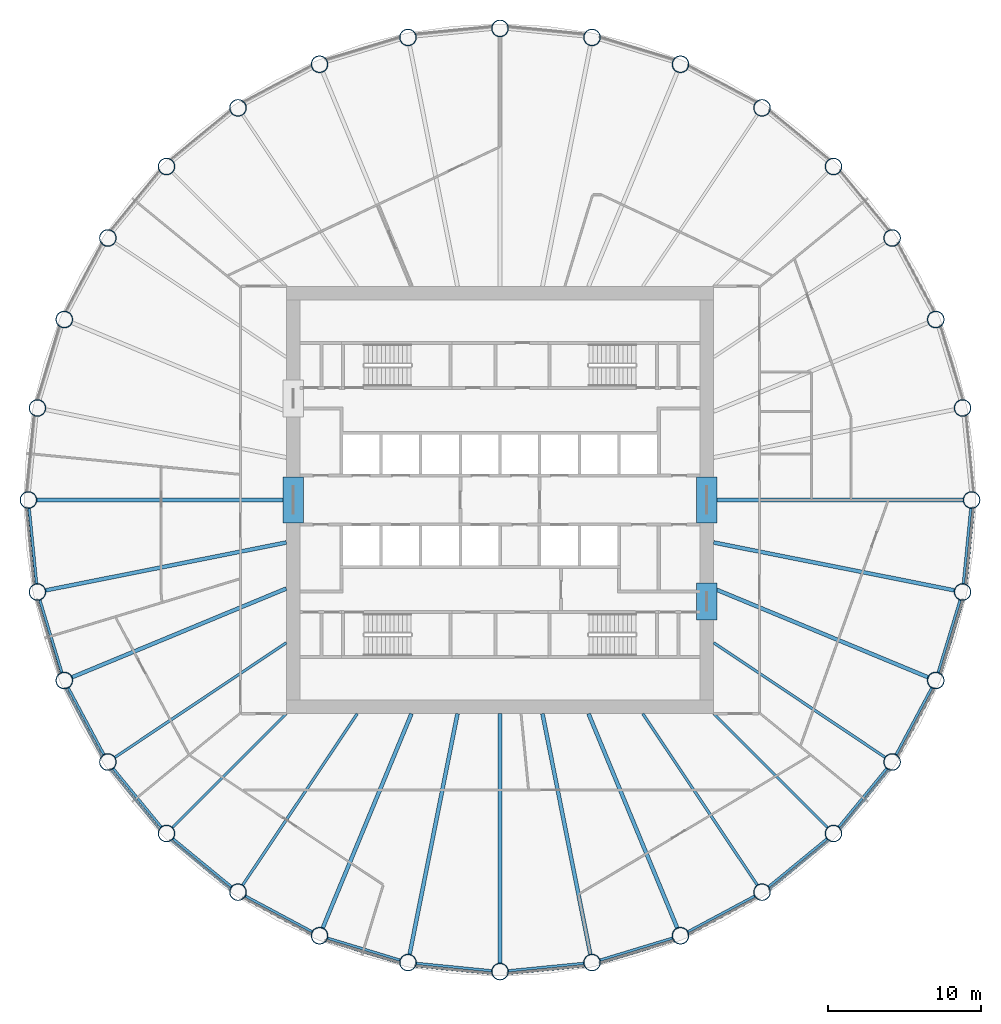
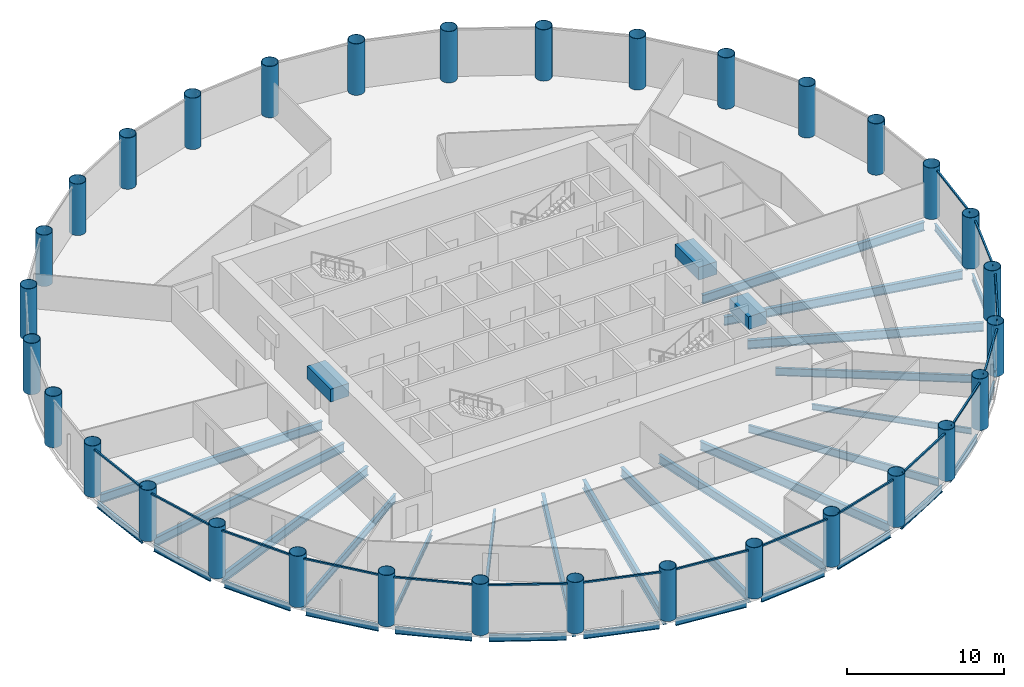
# One storey, part 1 of 8: 36 beams, 32 columns, 16 members, 16 elements without a shape of their own.
"""IFC4 building model written with IfcOpenShell, lengths in metres."""

from ifc_helpers import new_model, si_unit, direction, frame, origin, origin_2d, place, context, subcontext, project, spatial, rectangle, hollow_circle, i_section, extrude, material, material_profile, profile_set, type_object, element, aggregate, save


model = new_model("IFC4")

# Units and contexts
model_context = context("Model", 3, precision=1e-05, world=origin(), true_north=direction((0.0, 1.0)))
body_context = subcontext(model_context, "Body", "Model", "MODEL_VIEW")
ifc_project = project(units=[si_unit("LENGTHUNIT", "METRE"), si_unit("AREAUNIT", "SQUARE_METRE"), si_unit("VOLUMEUNIT", "CUBIC_METRE"), si_unit("PLANEANGLEUNIT", "RADIAN"), si_unit("MASSUNIT", "GRAM", prefix="KILO")], contexts=[model_context])

# Site, building, storey
site_placement = place(None, origin())
site = spatial("IfcSite", under=ifc_project, at=site_placement, CompositionType="ELEMENT")
building_placement = place(site_placement, origin())
building = spatial("IfcBuilding", under=site, at=building_placement, Name="Corvane Civic Tower", CompositionType="ELEMENT")
storey_placement = place(building_placement, frame((0.0, 0.0, 156.0)))
storey = spatial("IfcBuildingStorey", under=building, at=storey_placement, Name="L36", CompositionType="ELEMENT", Elevation=156.0)

# Columns
ifc_material_1 = material(Name="Steel ASTM A572 Gr 50", Category="steel")
ifc_material_profile_1 = material_profile(ifc_material_1, hollow_circle(Radius=0.550048828125, WallThickness=0.031982421875, at=origin_2d()), Name="CHS1100X32")
ifc_profile_set_1 = profile_set([ifc_material_profile_1], Name="Steel ASTM A572 Gr 50")
column_type = type_object("IfcColumnType", Name="COMPOSITE COLUMN CHS1100X32", PredefinedType="COLUMN", material=ifc_profile_set_1)
for number, where, z_axis, x_axis, name in (
    (1, (0.0, 30.89990234375, 0.0), (0.0, 0.0, 1.0), (1.0, 0.0, 0.0), "COL-L36-C01"),
    (2, (6.0283203125, 30.30615234375, 0.0), (0.0, 0.0, 1.0), (1.0, 0.0, 0.0), "COL-L36-C02"),
    (3, (11.824951171875, 28.5478515625, 0.0), (0.0, 0.0, 1.0), (1.0, 0.0, 0.0), "COL-L36-C03"),
    (4, (17.167236328125, 25.6923828125, 0.0), (0.0, 0.0, 1.0), (1.0, 0.0, 0.0), "COL-L36-C04"),
    (5, (21.849609375, 21.849609375, 0.0), (0.0, 0.0, 1.0), (1.0, 0.0, 0.0), "COL-L36-C05"),
    (6, (25.6923828125, 17.167236328125, 0.0), (0.0, 0.0, 1.0), (1.0, 0.0, 0.0), "COL-L36-C06"),
    (7, (28.5478515625, 11.824951171875, 0.0), (0.0, 0.0, 1.0), (1.0, 0.0, 0.0), "COL-L36-C07"),
    (8, (30.30615234375, 6.0283203125, 0.0), (0.0, 0.0, 1.0), (1.0, 0.0, 0.0), "COL-L36-C08"),
    (9, (30.89990234375, 0.0, 0.0), (0.0, 0.0, 1.0), (1.0, 0.0, 0.0), "COL-L36-C09"),
    (10, (30.30615234375, -6.0283203125, 0.0), (0.0, 0.0, 1.0), (1.0, 0.0, 0.0), "COL-L36-C10"),
    (11, (28.5478515625, -11.824951171875, 0.0), (0.0, 0.0, 1.0), (1.0, 0.0, 0.0), "COL-L36-C11"),
    (12, (25.6923828125, -17.167236328125, 0.0), (0.0, 0.0, 1.0), (1.0, 0.0, 0.0), "COL-L36-C12"),
    (13, (21.849609375, -21.849609375, 0.0), (0.0, 0.0, 1.0), (1.0, 0.0, 0.0), "COL-L36-C13"),
    (14, (17.167236328125, -25.6923828125, 0.0), (0.0, 0.0, 1.0), (1.0, 0.0, 0.0), "COL-L36-C14"),
    (15, (11.824951171875, -28.5478515625, 0.0), (0.0, 0.0, 1.0), (1.0, 0.0, 0.0), "COL-L36-C15"),
    (16, (6.0283203125, -30.30615234375, 0.0), (0.0, 0.0, 1.0), (1.0, 0.0, 0.0), "COL-L36-C16"),
    (17, (0.0, -30.89990234375, 0.0), (0.0, 0.0, 1.0), (1.0, 0.0, 0.0), "COL-L36-C17"),
    (18, (-6.0283203125, -30.30615234375, 0.0), (0.0, 0.0, 1.0), (1.0, 0.0, 0.0), "COL-L36-C18"),
    (19, (-11.824951171875, -28.5478515625, 0.0), (0.0, 0.0, 1.0), (1.0, 0.0, 0.0), "COL-L36-C19"),
    (20, (-17.167236328125, -25.6923828125, 0.0), (0.0, 0.0, 1.0), (1.0, 0.0, 0.0), "COL-L36-C20"),
    (21, (-21.849609375, -21.849609375, 0.0), (0.0, 0.0, 1.0), (1.0, 0.0, 0.0), "COL-L36-C21"),
    (22, (-25.6923828125, -17.167236328125, 0.0), (0.0, 0.0, 1.0), (1.0, 0.0, 0.0), "COL-L36-C22"),
    (23, (-28.5478515625, -11.824951171875, 0.0), (0.0, 0.0, 1.0), (1.0, 0.0, 0.0), "COL-L36-C23"),
    (24, (-30.30615234375, -6.0283203125, 0.0), (0.0, 0.0, 1.0), (1.0, 0.0, 0.0), "COL-L36-C24"),
    (25, (-30.89990234375, 0.0, 0.0), (0.0, 0.0, 1.0), (1.0, 0.0, 0.0), "COL-L36-C25"),
    (26, (-30.30615234375, 6.0283203125, 0.0), (0.0, 0.0, 1.0), (1.0, 0.0, 0.0), "COL-L36-C26"),
    (27, (-28.5478515625, 11.824951171875, 0.0), (0.0, 0.0, 1.0), (1.0, 0.0, 0.0), "COL-L36-C27"),
    (28, (-25.6923828125, 17.167236328125, 0.0), (0.0, 0.0, 1.0), (1.0, 0.0, 0.0), "COL-L36-C28"),
    (29, (-21.849609375, 21.849609375, 0.0), (0.0, 0.0, 1.0), (1.0, 0.0, 0.0), "COL-L36-C29"),
    (30, (-17.167236328125, 25.6923828125, 0.0), (0.0, 0.0, 1.0), (1.0, 0.0, 0.0), "COL-L36-C30"),
    (31, (-11.824951171875, 28.5478515625, 0.0), (0.0, 0.0, 1.0), (1.0, 0.0, 0.0), "COL-L36-C31"),
    (32, (-6.0283203125, 30.30615234375, 0.0), (0.0, 0.0, 1.0), (1.0, 0.0, 0.0), "COL-L36-C32"),
):
    element("IfcColumn", number, at=place(storey_placement, frame(where, z_axis=z_axis, x_axis=x_axis)), inside=storey, type_object=column_type, Name=name, PredefinedType="COLUMN", context=body_context, shape_type="SweptSolid", body=[
        extrude(hollow_circle(Radius=0.550048828125, WallThickness=0.031982421875, at=origin_2d()), origin(), (0.0, 0.0, 1.0), 4.0),
    ])

# Beams
ifc_material_2 = material(Name="Concrete C60/75", Category="concrete")
ifc_material_profile_2 = material_profile(ifc_material_2, rectangle(XDim=1.35009765625, YDim=1.0, at=origin_2d()), Name="COUPLING BEAM 1350X1000")
ifc_profile_set_2 = profile_set([ifc_material_profile_2], Name="Concrete C60/75")
beam_type_1 = type_object("IfcBeamType", Name="COUPLING BEAM COUPLING BEAM 1350X1000", PredefinedType="BEAM", material=ifc_profile_set_2)
for number, where, z_axis, x_axis, name in (
    (33, (-13.550048828125, -1.5, 2.60009765625), (0.0, 1.0, 0.0), (-1.0, 0.0, 0.0), "BM-L36-cpl-CW-LW"),
    (34, (13.550048828125, -1.5, 2.60009765625), (0.0, 1.0, 0.0), (-1.0, 0.0, 0.0), "BM-L36-cpl-CW-LE"),
):
    element("IfcBeam", number, at=place(storey_placement, frame(where, z_axis=z_axis, x_axis=x_axis)), inside=storey, type_object=beam_type_1, Name=name, PredefinedType="BEAM", context=body_context, shape_type="SweptSolid", body=[
        extrude(rectangle(XDim=1.35009765625, YDim=1.0, at=origin_2d()), origin(), (0.0, 0.0, 1.0), 3.0),
    ])
beam_1_placement = place(storey_placement, frame((13.550048828125, -7.85009765625, 2.60009765625), z_axis=(0.0, 1.0, 0.0), x_axis=(-1.0, 0.0, 0.0)))
element("IfcBeam", 35, at=beam_1_placement, inside=storey, type_object=beam_type_1, Name="BM-L36-cpl-CW-ES", PredefinedType="BEAM", context=body_context, shape_type="SweptSolid", body=[
    extrude(rectangle(XDim=1.35009765625, YDim=1.0, at=origin_2d()), origin(), (0.0, 0.0, 1.0), 2.400146484375),
])
ifc_material_3 = material(Name="Steel ASTM A992 Gr 50", Category="steel")
ifc_material_profile_3 = material_profile(ifc_material_3, i_section(OverallWidth=0.165771484375, OverallDepth=0.5283203125, WebThickness=0.009765625, FlangeThickness=0.013671875, at=origin_2d()), Name="W21X50")
ifc_profile_set_3 = profile_set([ifc_material_profile_3], Name="Steel ASTM A992 Gr 50")
beam_type_2 = type_object("IfcBeamType", Name="EDGE BEAM W21X50", PredefinedType="BEAM", material=ifc_profile_set_3)
beam_2_placement = place(storey_placement, frame((30.845947265625, -0.54736328125, -0.564208984375), z_axis=(-0.09800181167, -0.995186236294, 0.0), x_axis=(0.995186236294, -0.09800181167, 0.0)))
element("IfcBeam", 36, at=beam_2_placement, inside=storey, type_object=beam_type_2, Name="BM-L36-E09", PredefinedType="BEAM", context=body_context, shape_type="SweptSolid", body=[
    extrude(i_section(OverallWidth=0.165771484375, OverallDepth=0.5283203125, WebThickness=0.009765625, FlangeThickness=0.013671875, at=origin_2d()), origin(), (0.0, 0.0, 1.0), 4.95751953125),
])
beam_3_placement = place(storey_placement, frame((30.146484375, -6.5546875, -0.564208984375), z_axis=(-0.290269821381, -0.956944842086, 0.0), x_axis=(0.956944842086, -0.290269821381, 0.0)))
element("IfcBeam", 37, at=beam_3_placement, inside=storey, type_object=beam_type_2, Name="BM-L36-E10", PredefinedType="BEAM", context=body_context, shape_type="SweptSolid", body=[
    extrude(i_section(OverallWidth=0.165771484375, OverallDepth=0.5283203125, WebThickness=0.009765625, FlangeThickness=0.013671875, at=origin_2d()), origin(), (0.0, 0.0, 1.0), 4.957275390625),
])
for number, where, z_axis, x_axis, name in (
    (38, (28.28857421875, -12.31005859375, -0.564208984375), (-0.471395763042, -0.881921784846, 0.0), (0.881921784846, -0.471395763042, 0.0), "BM-L36-E11"),
    (39, (25.343505859375, -17.59228515625, -0.564208984375), (-0.634387546532, -0.77301516208, 0.0), (0.77301516208, -0.634387546532, 0.0), "BM-L36-E12"),
    (40, (21.424560546875, -22.198486328125, -0.564208984375), (-0.77301516208, -0.634387546532, 0.0), (0.634387546532, -0.77301516208, 0.0), "BM-L36-E13"),
    (41, (16.68212890625, -25.95166015625, -0.564208984375), (-0.881921784846, -0.471395763042, 0.0), (0.471395763042, -0.881921784846, 0.0), "BM-L36-E14"),
):
    element("IfcBeam", number, at=place(storey_placement, frame(where, z_axis=z_axis, x_axis=x_axis)), inside=storey, type_object=beam_type_2, Name=name, PredefinedType="BEAM", context=body_context, shape_type="SweptSolid", body=[
        extrude(i_section(OverallWidth=0.165771484375, OverallDepth=0.5283203125, WebThickness=0.009765625, FlangeThickness=0.013671875, at=origin_2d()), origin(), (0.0, 0.0, 1.0), 4.95751953125),
    ])
beam_4_placement = place(storey_placement, frame((11.298583984375, -28.70751953125, -0.564208984375), z_axis=(-0.956944842086, -0.290269821381, 0.0), x_axis=(0.290269821381, -0.956944842086, 0.0)))
element("IfcBeam", 42, at=beam_4_placement, inside=storey, type_object=beam_type_2, Name="BM-L36-E15", PredefinedType="BEAM", context=body_context, shape_type="SweptSolid", body=[
    extrude(i_section(OverallWidth=0.165771484375, OverallDepth=0.5283203125, WebThickness=0.009765625, FlangeThickness=0.013671875, at=origin_2d()), origin(), (0.0, 0.0, 1.0), 4.957275390625),
])
for number, where, z_axis, x_axis, name in (
    (43, (5.48095703125, -30.360107421875, -0.564208984375), (-0.995186236294, -0.09800181167, 0.0), (0.09800181167, -0.995186236294, 0.0), "BM-L36-E16"),
    (44, (-0.54736328125, -30.845947265625, -0.564208984375), (-0.995186236294, 0.09800181167, 0.0), (-0.09800181167, -0.995186236294, 0.0), "BM-L36-E17"),
):
    element("IfcBeam", number, at=place(storey_placement, frame(where, z_axis=z_axis, x_axis=x_axis)), inside=storey, type_object=beam_type_2, Name=name, PredefinedType="BEAM", context=body_context, shape_type="SweptSolid", body=[
        extrude(i_section(OverallWidth=0.165771484375, OverallDepth=0.5283203125, WebThickness=0.009765625, FlangeThickness=0.013671875, at=origin_2d()), origin(), (0.0, 0.0, 1.0), 4.95751953125),
    ])
beam_5_placement = place(storey_placement, frame((-6.5546875, -30.146484375, -0.564208984375), z_axis=(-0.956944842086, 0.290269821381, 0.0), x_axis=(-0.290269821381, -0.956944842086, 0.0)))
element("IfcBeam", 45, at=beam_5_placement, inside=storey, type_object=beam_type_2, Name="BM-L36-E18", PredefinedType="BEAM", context=body_context, shape_type="SweptSolid", body=[
    extrude(i_section(OverallWidth=0.165771484375, OverallDepth=0.5283203125, WebThickness=0.009765625, FlangeThickness=0.013671875, at=origin_2d()), origin(), (0.0, 0.0, 1.0), 4.957275390625),
])
for number, where, z_axis, x_axis, name in (
    (46, (-12.31005859375, -28.28857421875, -0.564208984375), (-0.881921784846, 0.471395763042, 0.0), (-0.471395763042, -0.881921784846, 0.0), "BM-L36-E19"),
    (47, (-17.59228515625, -25.343505859375, -0.564208984375), (-0.77301516208, 0.634387546532, 0.0), (-0.634387546532, -0.77301516208, 0.0), "BM-L36-E20"),
    (48, (-22.198486328125, -21.424560546875, -0.564208984375), (-0.634387546532, 0.77301516208, 0.0), (-0.77301516208, -0.634387546532, 0.0), "BM-L36-E21"),
    (49, (-25.95166015625, -16.68212890625, -0.564208984375), (-0.471395763042, 0.881921784846, 0.0), (-0.881921784846, -0.471395763042, 0.0), "BM-L36-E22"),
):
    element("IfcBeam", number, at=place(storey_placement, frame(where, z_axis=z_axis, x_axis=x_axis)), inside=storey, type_object=beam_type_2, Name=name, PredefinedType="BEAM", context=body_context, shape_type="SweptSolid", body=[
        extrude(i_section(OverallWidth=0.165771484375, OverallDepth=0.5283203125, WebThickness=0.009765625, FlangeThickness=0.013671875, at=origin_2d()), origin(), (0.0, 0.0, 1.0), 4.95751953125),
    ])
beam_6_placement = place(storey_placement, frame((-28.70751953125, -11.298583984375, -0.564208984375), z_axis=(-0.290269821381, 0.956944842086, 0.0), x_axis=(-0.956944842086, -0.290269821381, 0.0)))
element("IfcBeam", 50, at=beam_6_placement, inside=storey, type_object=beam_type_2, Name="BM-L36-E23", PredefinedType="BEAM", context=body_context, shape_type="SweptSolid", body=[
    extrude(i_section(OverallWidth=0.165771484375, OverallDepth=0.5283203125, WebThickness=0.009765625, FlangeThickness=0.013671875, at=origin_2d()), origin(), (0.0, 0.0, 1.0), 4.957275390625),
])
beam_7_placement = place(storey_placement, frame((-30.360107421875, -5.48095703125, -0.564208984375), z_axis=(-0.09800181167, 0.995186236294, 0.0), x_axis=(-0.995186236294, -0.09800181167, 0.0)))
element("IfcBeam", 51, at=beam_7_placement, inside=storey, type_object=beam_type_2, Name="BM-L36-E24", PredefinedType="BEAM", context=body_context, shape_type="SweptSolid", body=[
    extrude(i_section(OverallWidth=0.165771484375, OverallDepth=0.5283203125, WebThickness=0.009765625, FlangeThickness=0.013671875, at=origin_2d()), origin(), (0.0, 0.0, 1.0), 4.95751953125),
])
ifc_material_4 = material(Name="Steel ASTM A992 Gr 50", Category="steel")
ifc_material_profile_4 = material_profile(ifc_material_4, i_section(OverallWidth=0.15283203125, OverallDepth=0.45458984375, WebThickness=0.008056640625, FlangeThickness=0.013427734375, at=origin_2d()), Name="W18X40")
ifc_profile_set_4 = profile_set([ifc_material_profile_4], Name="Steel ASTM A992 Gr 50")
beam_type_3 = type_object("IfcBeamType", Name="FLOOR GIRDER W18X40", PredefinedType="BEAM", material=ifc_profile_set_4)
for number, where, z_axis, x_axis, name in (
    (52, (14.0, -14.0, -0.52734375), (0.707106781187, -0.707106781187, 0.0), (0.707106781187, 0.707106781187, 0.0), "BM-L36-G13"),
    (53, (-14.0, -14.0, -0.52734375), (-0.707106781187, -0.707106781187, 0.0), (0.707106781187, -0.707106781187, 0.0), "BM-L36-G21"),
):
    element("IfcBeam", number, at=place(storey_placement, frame(where, z_axis=z_axis, x_axis=x_axis)), inside=storey, type_object=beam_type_3, Name=name, PredefinedType="BEAM", context=body_context, shape_type="SweptSolid", body=[
        extrude(i_section(OverallWidth=0.15283203125, OverallDepth=0.45458984375, WebThickness=0.008056640625, FlangeThickness=0.013427734375, at=origin_2d()), origin(), (0.0, 0.0, 1.0), 10.551025390625),
    ])
ifc_material_5 = material(Name="Steel ASTM A992 Gr 50", Category="steel")
ifc_material_profile_5 = material_profile(ifc_material_5, i_section(OverallWidth=0.177978515625, OverallDepth=0.599365234375, WebThickness=0.010009765625, FlangeThickness=0.012939453125, at=origin_2d()), Name="W24X55")
ifc_profile_set_5 = profile_set([ifc_material_profile_5], Name="Steel ASTM A992 Gr 50")
beam_type_4 = type_object("IfcBeamType", Name="FLOOR GIRDER W24X55", PredefinedType="BEAM", material=ifc_profile_set_5)
for number, where, z_axis, x_axis, name in (
    (54, (14.0, -9.3544921875, -0.599609375), (0.83146888399, -0.555571323015, 0.0), (0.555571323015, 0.83146888399, 0.0), "BM-L36-G12"),
    (55, (9.3544921875, -14.0, -0.599609375), (0.555571323015, -0.83146888399, 0.0), (0.83146888399, 0.555571323015, 0.0), "BM-L36-G14"),
    (56, (-9.3544921875, -14.0, -0.599609375), (-0.555571323015, -0.83146888399, 0.0), (0.83146888399, -0.555571323015, 0.0), "BM-L36-G20"),
    (57, (-14.0, -9.3544921875, -0.599609375), (-0.83146888399, -0.555571323015, 0.0), (0.555571323015, -0.83146888399, 0.0), "BM-L36-G22"),
):
    element("IfcBeam", number, at=place(storey_placement, frame(where, z_axis=z_axis, x_axis=x_axis)), inside=storey, type_object=beam_type_4, Name=name, PredefinedType="BEAM", context=body_context, shape_type="SweptSolid", body=[
        extrude(i_section(OverallWidth=0.177978515625, OverallDepth=0.599365234375, WebThickness=0.010009765625, FlangeThickness=0.012939453125, at=origin_2d()), origin(), (0.0, 0.0, 1.0), 13.512451171875),
    ])
ifc_material_6 = material(Name="Steel ASTM A992 Gr 50", Category="steel")
ifc_material_profile_6 = material_profile(ifc_material_6, i_section(OverallWidth=0.25390625, OverallDepth=0.67822265625, WebThickness=0.01171875, FlangeThickness=0.016357421875, at=origin_2d()), Name="W27X84")
ifc_profile_set_6 = profile_set([ifc_material_profile_6], Name="Steel ASTM A992 Gr 50")
beam_type_5 = type_object("IfcBeamType", Name="FLOOR GIRDER W27X84", PredefinedType="BEAM", material=ifc_profile_set_6)
beam_8_placement = place(storey_placement, frame((14.0, 0.0, -0.63916015625), z_axis=(1.0, 0.0, 0.0), x_axis=(0.0, 1.0, 0.0)))
element("IfcBeam", 58, at=beam_8_placement, inside=storey, type_object=beam_type_5, Name="BM-L36-G09", PredefinedType="BEAM", context=body_context, shape_type="SweptSolid", body=[
    extrude(i_section(OverallWidth=0.25390625, OverallDepth=0.67822265625, WebThickness=0.01171875, FlangeThickness=0.016357421875, at=origin_2d()), origin(), (0.0, 0.0, 1.0), 16.35009765625),
])
beam_9_placement = place(storey_placement, frame((14.0, -2.78466796875, -0.63916015625), z_axis=(0.980785162999, -0.195090912248, 0.0), x_axis=(0.195090912248, 0.980785162999, 0.0)))
element("IfcBeam", 59, at=beam_9_placement, inside=storey, type_object=beam_type_5, Name="BM-L36-G10", PredefinedType="BEAM", context=body_context, shape_type="SweptSolid", body=[
    extrude(i_section(OverallWidth=0.25390625, OverallDepth=0.67822265625, WebThickness=0.01171875, FlangeThickness=0.016357421875, at=origin_2d()), origin(), (0.0, 0.0, 1.0), 16.07568359375),
])
for number, where, z_axis, x_axis, name in (
    (60, (14.0, -5.799072265625, -0.63916015625), (0.923880551114, -0.38268097323, 0.0), (0.38268097323, 0.923880551114, 0.0), "BM-L36-G11"),
    (61, (5.799072265625, -14.0, -0.63916015625), (0.38268097323, -0.923880551114, 0.0), (0.923880551114, 0.38268097323, 0.0), "BM-L36-G15"),
):
    element("IfcBeam", number, at=place(storey_placement, frame(where, z_axis=z_axis, x_axis=x_axis)), inside=storey, type_object=beam_type_5, Name=name, PredefinedType="BEAM", context=body_context, shape_type="SweptSolid", body=[
        extrude(i_section(OverallWidth=0.25390625, OverallDepth=0.67822265625, WebThickness=0.01171875, FlangeThickness=0.016357421875, at=origin_2d()), origin(), (0.0, 0.0, 1.0), 15.196533203125),
    ])
beam_10_placement = place(storey_placement, frame((2.78466796875, -14.0, -0.63916015625), z_axis=(0.195090912248, -0.980785162999, 0.0), x_axis=(0.980785162999, 0.195090912248, 0.0)))
element("IfcBeam", 62, at=beam_10_placement, inside=storey, type_object=beam_type_5, Name="BM-L36-G16", PredefinedType="BEAM", context=body_context, shape_type="SweptSolid", body=[
    extrude(i_section(OverallWidth=0.25390625, OverallDepth=0.67822265625, WebThickness=0.01171875, FlangeThickness=0.016357421875, at=origin_2d()), origin(), (0.0, 0.0, 1.0), 16.07568359375),
])
beam_11_placement = place(storey_placement, frame((0.0, -14.0, -0.63916015625), z_axis=(0.0, -1.0, 0.0), x_axis=(1.0, 0.0, 0.0)))
element("IfcBeam", 63, at=beam_11_placement, inside=storey, type_object=beam_type_5, Name="BM-L36-G17", PredefinedType="BEAM", context=body_context, shape_type="SweptSolid", body=[
    extrude(i_section(OverallWidth=0.25390625, OverallDepth=0.67822265625, WebThickness=0.01171875, FlangeThickness=0.016357421875, at=origin_2d()), origin(), (0.0, 0.0, 1.0), 16.35009765625),
])
beam_12_placement = place(storey_placement, frame((-2.78466796875, -14.0, -0.63916015625), z_axis=(-0.195090912248, -0.980785162999, 0.0), x_axis=(0.980785162999, -0.195090912248, 0.0)))
element("IfcBeam", 64, at=beam_12_placement, inside=storey, type_object=beam_type_5, Name="BM-L36-G18", PredefinedType="BEAM", context=body_context, shape_type="SweptSolid", body=[
    extrude(i_section(OverallWidth=0.25390625, OverallDepth=0.67822265625, WebThickness=0.01171875, FlangeThickness=0.016357421875, at=origin_2d()), origin(), (0.0, 0.0, 1.0), 16.07568359375),
])
for number, where, z_axis, x_axis, name in (
    (65, (-5.799072265625, -14.0, -0.63916015625), (-0.38268097323, -0.923880551114, 0.0), (0.923880551114, -0.38268097323, 0.0), "BM-L36-G19"),
    (66, (-14.0, -5.799072265625, -0.63916015625), (-0.923880551114, -0.38268097323, 0.0), (0.38268097323, -0.923880551114, 0.0), "BM-L36-G23"),
):
    element("IfcBeam", number, at=place(storey_placement, frame(where, z_axis=z_axis, x_axis=x_axis)), inside=storey, type_object=beam_type_5, Name=name, PredefinedType="BEAM", context=body_context, shape_type="SweptSolid", body=[
        extrude(i_section(OverallWidth=0.25390625, OverallDepth=0.67822265625, WebThickness=0.01171875, FlangeThickness=0.016357421875, at=origin_2d()), origin(), (0.0, 0.0, 1.0), 15.196533203125),
    ])
beam_13_placement = place(storey_placement, frame((-14.0, -2.78466796875, -0.63916015625), z_axis=(-0.980785162999, -0.195090912248, 0.0), x_axis=(0.195090912248, -0.980785162999, 0.0)))
element("IfcBeam", 67, at=beam_13_placement, inside=storey, type_object=beam_type_5, Name="BM-L36-G24", PredefinedType="BEAM", context=body_context, shape_type="SweptSolid", body=[
    extrude(i_section(OverallWidth=0.25390625, OverallDepth=0.67822265625, WebThickness=0.01171875, FlangeThickness=0.016357421875, at=origin_2d()), origin(), (0.0, 0.0, 1.0), 16.07568359375),
])
beam_14_placement = place(storey_placement, frame((-14.0, 0.0, -0.63916015625), z_axis=(-1.0, 0.0, 0.0), x_axis=(0.0, -1.0, 0.0)))
element("IfcBeam", 68, at=beam_14_placement, inside=storey, type_object=beam_type_5, Name="BM-L36-G25", PredefinedType="BEAM", context=body_context, shape_type="SweptSolid", body=[
    extrude(i_section(OverallWidth=0.25390625, OverallDepth=0.67822265625, WebThickness=0.01171875, FlangeThickness=0.016357421875, at=origin_2d()), origin(), (0.0, 0.0, 1.0), 16.35009765625),
])

# Curtain wall, member
ifc_material_7 = material(Name="Anodised aluminium bronze", Category="aluminium")
curtain_wall_type = type_object("IfcCurtainWallType", Name="TOWER CW-T2 STICK CURTAIN WALL", PredefinedType="NOTDEFINED", material=ifc_material_7)
curtain_wall_1_placement = place(storey_placement, origin())
curtain_wall_1 = element("IfcCurtainWall", 69, at=curtain_wall_1_placement, inside=storey, type_object=curtain_wall_type, Name="Curtain wall CW-T2 L36 bay 09", PredefinedType="NOTDEFINED")
ifc_material_8 = material(Name="Anodised aluminium bronze", Category="aluminium")
ifc_material_profile_7 = material_profile(ifc_material_8, rectangle(XDim=0.1201171875, YDim=0.1201171875, at=origin_2d()), Name="TOWER CW-T2 TRANSOM 120x120")
ifc_profile_set_7 = profile_set([ifc_material_profile_7], Name="Anodised aluminium bronze")
member_type = type_object("IfcMemberType", Name="TOWER CW-T2 TRANSOM 120x120", PredefinedType="USERDEFINED", material=ifc_profile_set_7)
member_1_placement = place(storey_placement, frame((31.0302734375, -0.505126953125, 3.68994140625), z_axis=(-0.097989755963, -0.995187423416, 0.0), x_axis=(0.995187423416, -0.097989755963, 0.0)))
member_1 = element("IfcMember", 70, at=member_1_placement, type_object=member_type, Name="Transom CW-T2 L36 09.1", ObjectType="TRANSOM", PredefinedType="USERDEFINED", context=body_context, shape_type="SweptSolid", body=[
    extrude(rectangle(XDim=0.1201171875, YDim=0.1201171875, at=origin_2d()), origin(), (0.0, 0.0, 1.0), 5.07763671875),
])
aggregate(curtain_wall_1, [member_1])

curtain_wall_2_placement = place(storey_placement, origin())
curtain_wall_2 = element("IfcCurtainWall", 71, at=curtain_wall_2_placement, inside=storey, type_object=curtain_wall_type, Name="Curtain wall CW-T2 L36 bay 10", PredefinedType="NOTDEFINED")
member_2_placement = place(storey_placement, frame((30.33544921875, -6.54931640625, 3.68994140625), z_axis=(-0.290288977061, -0.956939031389, 0.0), x_axis=(0.956939031389, -0.290288977061, 0.0)))
member_2 = element("IfcMember", 72, at=member_2_placement, type_object=member_type, Name="Transom CW-T2 L36 10.1", ObjectType="TRANSOM", PredefinedType="USERDEFINED", context=body_context, shape_type="SweptSolid", body=[
    extrude(rectangle(XDim=0.1201171875, YDim=0.1201171875, at=origin_2d()), origin(), (0.0, 0.0, 1.0), 5.077392578125),
])
aggregate(curtain_wall_2, [member_2])

curtain_wall_3_placement = place(storey_placement, origin())
curtain_wall_3 = element("IfcCurtainWall", 73, at=curtain_wall_3_placement, inside=storey, type_object=curtain_wall_type, Name="Curtain wall CW-T2 L36 bay 11", PredefinedType="NOTDEFINED")
member_3_placement = place(storey_placement, frame((28.474853515625, -12.341552734375, 3.68994140625), z_axis=(-0.471396615074, -0.881921329426, 0.0), x_axis=(0.881921329426, -0.471396615074, 0.0)))
member_3 = element("IfcMember", 74, at=member_3_placement, type_object=member_type, Name="Transom CW-T2 L36 11.1", ObjectType="TRANSOM", PredefinedType="USERDEFINED", context=body_context, shape_type="SweptSolid", body=[
    extrude(rectangle(XDim=0.1201171875, YDim=0.1201171875, at=origin_2d()), origin(), (0.0, 0.0, 1.0), 5.07763671875),
])
aggregate(curtain_wall_3, [member_3])

curtain_wall_4_placement = place(storey_placement, origin())
curtain_wall_4 = element("IfcCurtainWall", 75, at=curtain_wall_4_placement, inside=storey, type_object=curtain_wall_type, Name="Curtain wall CW-T2 L36 bay 12", PredefinedType="NOTDEFINED")
member_4_placement = place(storey_placement, frame((25.519775390625, -17.65966796875, 3.68994140625), z_axis=(-0.634386611146, -0.773015929719, 0.0), x_axis=(0.773015929719, -0.634386611146, 0.0)))
member_4 = element("IfcMember", 76, at=member_4_placement, type_object=member_type, Name="Transom CW-T2 L36 12.1", ObjectType="TRANSOM", PredefinedType="USERDEFINED", context=body_context, shape_type="SweptSolid", body=[
    extrude(rectangle(XDim=0.1201171875, YDim=0.1201171875, at=origin_2d()), origin(), (0.0, 0.0, 1.0), 5.0771484375),
])
aggregate(curtain_wall_4, [member_4])

curtain_wall_5_placement = place(storey_placement, origin())
curtain_wall_5 = element("IfcCurtainWall", 77, at=curtain_wall_5_placement, inside=storey, type_object=curtain_wall_type, Name="Curtain wall CW-T2 L36 bay 13", PredefinedType="NOTDEFINED")
member_5_placement = place(storey_placement, frame((21.58447265625, -22.298828125, 3.68994140625), z_axis=(-0.773015929719, -0.634386611146, 0.0), x_axis=(0.634386611146, -0.773015929719, 0.0)))
member_5 = element("IfcMember", 78, at=member_5_placement, type_object=member_type, Name="Transom CW-T2 L36 13.1", ObjectType="TRANSOM", PredefinedType="USERDEFINED", context=body_context, shape_type="SweptSolid", body=[
    extrude(rectangle(XDim=0.1201171875, YDim=0.1201171875, at=origin_2d()), origin(), (0.0, 0.0, 1.0), 5.0771484375),
])
aggregate(curtain_wall_5, [member_5])

curtain_wall_6_placement = place(storey_placement, origin())
curtain_wall_6 = element("IfcCurtainWall", 79, at=curtain_wall_6_placement, inside=storey, type_object=curtain_wall_type, Name="Curtain wall CW-T2 L36 bay 14", PredefinedType="NOTDEFINED")
member_6_placement = place(storey_placement, frame((16.819580078125, -26.081298828125, 3.68994140625), z_axis=(-0.881921329426, -0.471396615074, 0.0), x_axis=(0.471396615074, -0.881921329426, 0.0)))
member_6 = element("IfcMember", 80, at=member_6_placement, type_object=member_type, Name="Transom CW-T2 L36 14.1", ObjectType="TRANSOM", PredefinedType="USERDEFINED", context=body_context, shape_type="SweptSolid", body=[
    extrude(rectangle(XDim=0.1201171875, YDim=0.1201171875, at=origin_2d()), origin(), (0.0, 0.0, 1.0), 5.07763671875),
])
aggregate(curtain_wall_6, [member_6])

curtain_wall_7_placement = place(storey_placement, origin())
curtain_wall_7 = element("IfcCurtainWall", 81, at=curtain_wall_7_placement, inside=storey, type_object=curtain_wall_type, Name="Curtain wall CW-T2 L36 bay 15", PredefinedType="NOTDEFINED")
member_7_placement = place(storey_placement, frame((11.407958984375, -28.861572265625, 3.68994140625), z_axis=(-0.956939031389, -0.290288977061, 0.0), x_axis=(0.290288977061, -0.956939031389, 0.0)))
member_7 = element("IfcMember", 82, at=member_7_placement, type_object=member_type, Name="Transom CW-T2 L36 15.1", ObjectType="TRANSOM", PredefinedType="USERDEFINED", context=body_context, shape_type="SweptSolid", body=[
    extrude(rectangle(XDim=0.1201171875, YDim=0.1201171875, at=origin_2d()), origin(), (0.0, 0.0, 1.0), 5.077392578125),
])
aggregate(curtain_wall_7, [member_7])

curtain_wall_8_placement = place(storey_placement, origin())
curtain_wall_8 = element("IfcCurtainWall", 83, at=curtain_wall_8_placement, inside=storey, type_object=curtain_wall_type, Name="Curtain wall CW-T2 L36 bay 16", PredefinedType="NOTDEFINED")
member_8_placement = place(storey_placement, frame((5.558349609375, -30.53271484375, 3.68994140625), z_axis=(-0.995187423416, -0.097989755963, 0.0), x_axis=(0.097989755963, -0.995187423416, 0.0)))
member_8 = element("IfcMember", 84, at=member_8_placement, type_object=member_type, Name="Transom CW-T2 L36 16.1", ObjectType="TRANSOM", PredefinedType="USERDEFINED", context=body_context, shape_type="SweptSolid", body=[
    extrude(rectangle(XDim=0.1201171875, YDim=0.1201171875, at=origin_2d()), origin(), (0.0, 0.0, 1.0), 5.07763671875),
])
aggregate(curtain_wall_8, [member_8])

curtain_wall_9_placement = place(storey_placement, origin())
curtain_wall_9 = element("IfcCurtainWall", 85, at=curtain_wall_9_placement, inside=storey, type_object=curtain_wall_type, Name="Curtain wall CW-T2 L36 bay 17", PredefinedType="NOTDEFINED")
member_9_placement = place(storey_placement, frame((-0.505126953125, -31.0302734375, 3.68994140625), z_axis=(-0.995187423416, 0.097989755963, 0.0), x_axis=(-0.097989755963, -0.995187423416, 0.0)))
member_9 = element("IfcMember", 86, at=member_9_placement, type_object=member_type, Name="Transom CW-T2 L36 17.1", ObjectType="TRANSOM", PredefinedType="USERDEFINED", context=body_context, shape_type="SweptSolid", body=[
    extrude(rectangle(XDim=0.1201171875, YDim=0.1201171875, at=origin_2d()), origin(), (0.0, 0.0, 1.0), 5.07763671875),
])
aggregate(curtain_wall_9, [member_9])

curtain_wall_10_placement = place(storey_placement, origin())
curtain_wall_10 = element("IfcCurtainWall", 87, at=curtain_wall_10_placement, inside=storey, type_object=curtain_wall_type, Name="Curtain wall CW-T2 L36 bay 18", PredefinedType="NOTDEFINED")
member_10_placement = place(storey_placement, frame((-6.54931640625, -30.33544921875, 3.68994140625), z_axis=(-0.956939031389, 0.290288977061, 0.0), x_axis=(-0.290288977061, -0.956939031389, 0.0)))
member_10 = element("IfcMember", 88, at=member_10_placement, type_object=member_type, Name="Transom CW-T2 L36 18.1", ObjectType="TRANSOM", PredefinedType="USERDEFINED", context=body_context, shape_type="SweptSolid", body=[
    extrude(rectangle(XDim=0.1201171875, YDim=0.1201171875, at=origin_2d()), origin(), (0.0, 0.0, 1.0), 5.077392578125),
])
aggregate(curtain_wall_10, [member_10])

curtain_wall_11_placement = place(storey_placement, origin())
curtain_wall_11 = element("IfcCurtainWall", 89, at=curtain_wall_11_placement, inside=storey, type_object=curtain_wall_type, Name="Curtain wall CW-T2 L36 bay 19", PredefinedType="NOTDEFINED")
member_11_placement = place(storey_placement, frame((-12.341552734375, -28.474853515625, 3.68994140625), z_axis=(-0.881921329426, 0.471396615074, 0.0), x_axis=(-0.471396615074, -0.881921329426, 0.0)))
member_11 = element("IfcMember", 90, at=member_11_placement, type_object=member_type, Name="Transom CW-T2 L36 19.1", ObjectType="TRANSOM", PredefinedType="USERDEFINED", context=body_context, shape_type="SweptSolid", body=[
    extrude(rectangle(XDim=0.1201171875, YDim=0.1201171875, at=origin_2d()), origin(), (0.0, 0.0, 1.0), 5.07763671875),
])
aggregate(curtain_wall_11, [member_11])

curtain_wall_12_placement = place(storey_placement, origin())
curtain_wall_12 = element("IfcCurtainWall", 91, at=curtain_wall_12_placement, inside=storey, type_object=curtain_wall_type, Name="Curtain wall CW-T2 L36 bay 20", PredefinedType="NOTDEFINED")
member_12_placement = place(storey_placement, frame((-17.65966796875, -25.519775390625, 3.68994140625), z_axis=(-0.773015929719, 0.634386611146, 0.0), x_axis=(-0.634386611146, -0.773015929719, 0.0)))
member_12 = element("IfcMember", 92, at=member_12_placement, type_object=member_type, Name="Transom CW-T2 L36 20.1", ObjectType="TRANSOM", PredefinedType="USERDEFINED", context=body_context, shape_type="SweptSolid", body=[
    extrude(rectangle(XDim=0.1201171875, YDim=0.1201171875, at=origin_2d()), origin(), (0.0, 0.0, 1.0), 5.0771484375),
])
aggregate(curtain_wall_12, [member_12])

curtain_wall_13_placement = place(storey_placement, origin())
curtain_wall_13 = element("IfcCurtainWall", 93, at=curtain_wall_13_placement, inside=storey, type_object=curtain_wall_type, Name="Curtain wall CW-T2 L36 bay 21", PredefinedType="NOTDEFINED")
member_13_placement = place(storey_placement, frame((-22.298828125, -21.58447265625, 3.68994140625), z_axis=(-0.634386611146, 0.773015929719, 0.0), x_axis=(-0.773015929719, -0.634386611146, 0.0)))
member_13 = element("IfcMember", 94, at=member_13_placement, type_object=member_type, Name="Transom CW-T2 L36 21.1", ObjectType="TRANSOM", PredefinedType="USERDEFINED", context=body_context, shape_type="SweptSolid", body=[
    extrude(rectangle(XDim=0.1201171875, YDim=0.1201171875, at=origin_2d()), origin(), (0.0, 0.0, 1.0), 5.0771484375),
])
aggregate(curtain_wall_13, [member_13])

curtain_wall_14_placement = place(storey_placement, origin())
curtain_wall_14 = element("IfcCurtainWall", 95, at=curtain_wall_14_placement, inside=storey, type_object=curtain_wall_type, Name="Curtain wall CW-T2 L36 bay 22", PredefinedType="NOTDEFINED")
member_14_placement = place(storey_placement, frame((-26.081298828125, -16.819580078125, 3.68994140625), z_axis=(-0.471396615074, 0.881921329426, 0.0), x_axis=(-0.881921329426, -0.471396615074, 0.0)))
member_14 = element("IfcMember", 96, at=member_14_placement, type_object=member_type, Name="Transom CW-T2 L36 22.1", ObjectType="TRANSOM", PredefinedType="USERDEFINED", context=body_context, shape_type="SweptSolid", body=[
    extrude(rectangle(XDim=0.1201171875, YDim=0.1201171875, at=origin_2d()), origin(), (0.0, 0.0, 1.0), 5.07763671875),
])
aggregate(curtain_wall_14, [member_14])

curtain_wall_15_placement = place(storey_placement, origin())
curtain_wall_15 = element("IfcCurtainWall", 97, at=curtain_wall_15_placement, inside=storey, type_object=curtain_wall_type, Name="Curtain wall CW-T2 L36 bay 23", PredefinedType="NOTDEFINED")
member_15_placement = place(storey_placement, frame((-28.861572265625, -11.407958984375, 3.68994140625), z_axis=(-0.290288977061, 0.956939031389, 0.0), x_axis=(-0.956939031389, -0.290288977061, 0.0)))
member_15 = element("IfcMember", 98, at=member_15_placement, type_object=member_type, Name="Transom CW-T2 L36 23.1", ObjectType="TRANSOM", PredefinedType="USERDEFINED", context=body_context, shape_type="SweptSolid", body=[
    extrude(rectangle(XDim=0.1201171875, YDim=0.1201171875, at=origin_2d()), origin(), (0.0, 0.0, 1.0), 5.077392578125),
])
aggregate(curtain_wall_15, [member_15])

curtain_wall_16_placement = place(storey_placement, origin())
curtain_wall_16 = element("IfcCurtainWall", 99, at=curtain_wall_16_placement, inside=storey, type_object=curtain_wall_type, Name="Curtain wall CW-T2 L36 bay 24", PredefinedType="NOTDEFINED")
member_16_placement = place(storey_placement, frame((-30.53271484375, -5.558349609375, 3.68994140625), z_axis=(-0.097989755963, 0.995187423416, 0.0), x_axis=(-0.995187423416, -0.097989755963, 0.0)))
member_16 = element("IfcMember", 100, at=member_16_placement, type_object=member_type, Name="Transom CW-T2 L36 24.1", ObjectType="TRANSOM", PredefinedType="USERDEFINED", context=body_context, shape_type="SweptSolid", body=[
    extrude(rectangle(XDim=0.1201171875, YDim=0.1201171875, at=origin_2d()), origin(), (0.0, 0.0, 1.0), 5.07763671875),
])
aggregate(curtain_wall_16, [member_16])

save(model, "model.ifc")
